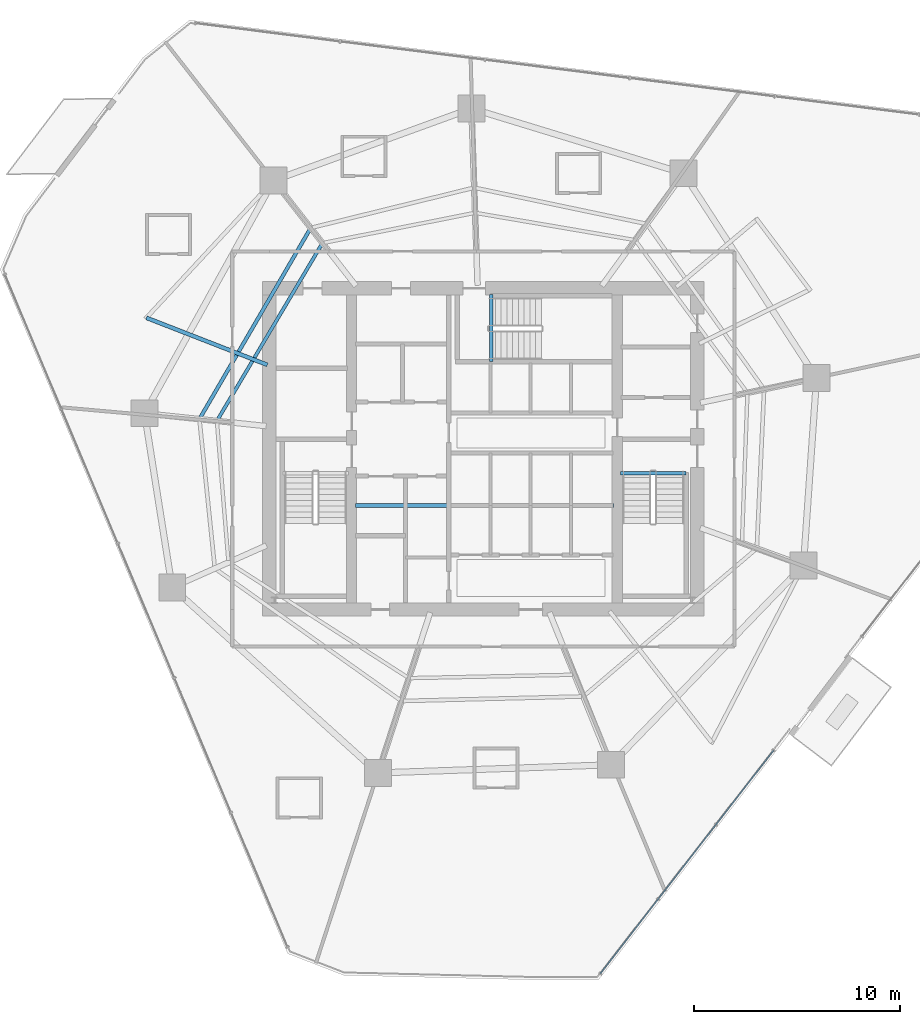
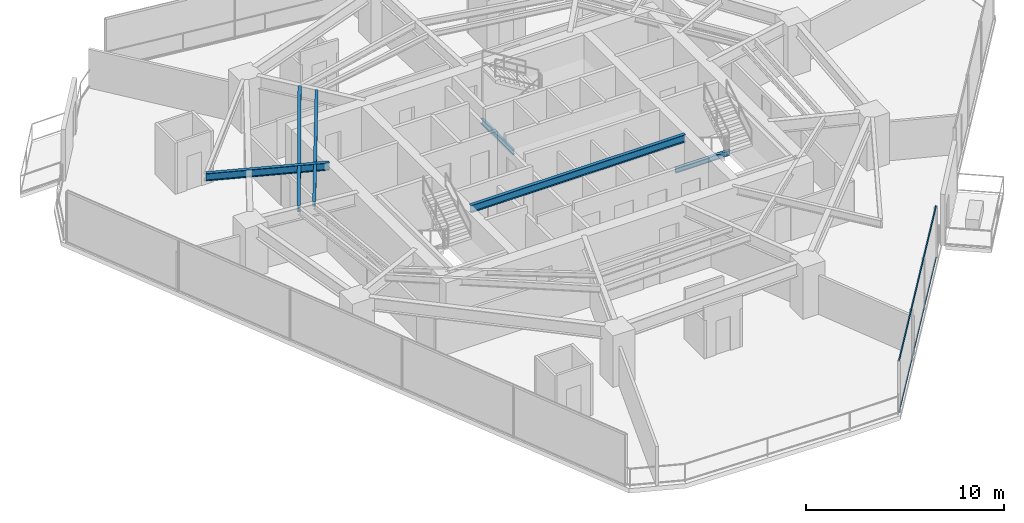
# One storey, part 10 of 30: 6 beams, 2 members, 1 element without a shape of its own.
"""IFC4 building model written with IfcOpenShell, lengths in metres."""

from ifc_helpers import new_model, si_unit, direction, frame, origin, origin_2d, place, context, subcontext, project, spatial, hollow_rectangle, i_section, extrude, material, layer, layer_set, material_profile, profile_set, type_object, element, aggregate, save


model = new_model("IFC4")

# Units and contexts
model_context = context("Model", 3, precision=1e-05, world=origin(), true_north=direction((0.0, 1.0)))
body_context = subcontext(model_context, "Body", "Model", "MODEL_VIEW")
ifc_project = project(units=[si_unit("LENGTHUNIT", "METRE"), si_unit("AREAUNIT", "SQUARE_METRE"), si_unit("VOLUMEUNIT", "CUBIC_METRE"), si_unit("PLANEANGLEUNIT", "RADIAN"), si_unit("MASSUNIT", "GRAM", prefix="KILO")], contexts=[model_context])

# Site, building, storey
site_placement = place(None, origin())
site = spatial("IfcSite", under=ifc_project, at=site_placement, CompositionType="ELEMENT")
building_placement = place(site_placement, origin())
building = spatial("IfcBuilding", under=site, at=building_placement, Name="Qarnah Convention Tower", CompositionType="ELEMENT")
storey_placement = place(building_placement, frame((0.0, 0.0, 40.800048828125)))
storey = spatial("IfcBuildingStorey", under=building, at=storey_placement, Name="L09", CompositionType="ELEMENT", Elevation=40.800048828125)

# Beams
ifc_material_1 = material(Name="Structural steel S355JR", Category="steel")
ifc_material_profile_1 = material_profile(ifc_material_1, i_section(OverallWidth=0.19189453125, OverallDepth=0.464111328125, WebThickness=0.010986328125, FlangeThickness=0.01806640625, at=origin_2d()), Name="W460X89")
ifc_profile_set_1 = profile_set([ifc_material_profile_1], Name="Structural steel S355JR")
beam_type_1 = type_object("IfcBeamType", Name="BM-CANT-W460A", PredefinedType="BEAM", material=ifc_profile_set_1)
beam_1_placement = place(storey_placement, frame((30.97998046875, 23.64990234375, 2.93798828125), z_axis=(1.0, 0.0, 0.0), x_axis=(0.0, 1.0, 0.0)))
element("IfcBeam", 1, at=beam_1_placement, inside=storey, type_object=beam_type_1, Name="L09 beam BM-L09-KC1", PredefinedType="BEAM", context=body_context, shape_type="SweptSolid", body=[
    extrude(i_section(OverallWidth=0.19189453125, OverallDepth=0.464111328125, WebThickness=0.010986328125, FlangeThickness=0.01806640625, at=origin_2d()), origin(), (0.0, 0.0, 1.0), 12.5400390625),
])
beam_2_placement = place(storey_placement, frame((26.70703125, 30.48388671875, 2.93798828125), z_axis=(-0.931897088326, 0.36272278226, 0.0), x_axis=(-0.36272278226, -0.931897088326, 0.0)))
element("IfcBeam", 2, at=beam_2_placement, inside=storey, type_object=beam_type_1, Name="L09 beam BM-L09-CNT-02-2", PredefinedType="BEAM", context=body_context, shape_type="SweptSolid", body=[
    extrude(i_section(OverallWidth=0.19189453125, OverallDepth=0.464111328125, WebThickness=0.010986328125, FlangeThickness=0.01806640625, at=origin_2d()), origin(), (0.0, 0.0, 1.0), 6.305419921875),
])
ifc_material_profile_2 = material_profile(ifc_material_1, i_section(OverallWidth=0.166015625, OverallDepth=0.31201171875, WebThickness=0.007080078125, FlangeThickness=0.010986328125, at=origin_2d()), Name="W310X45")
ifc_profile_set_2 = profile_set([ifc_material_profile_2], Name="Structural steel S355JR")
beam_type_2 = type_object("IfcBeamType", Name="BM-JST-W310", PredefinedType="JOIST", material=ifc_profile_set_2)
beam_3_placement = place(storey_placement, frame((43.860107421875, 25.217041015625, -0.156005859375), z_axis=(1.0, 0.0, 0.0), x_axis=(0.0, 1.0, 0.0)))
element("IfcBeam", 3, at=beam_3_placement, inside=storey, type_object=beam_type_2, Name="L09 stair landing trimmer beam BM-L09-ST2-TRM", PredefinedType="BEAM", context=body_context, shape_type="SweptSolid", body=[
    extrude(i_section(OverallWidth=0.166015625, OverallDepth=0.31201171875, WebThickness=0.007080078125, FlangeThickness=0.010986328125, at=origin_2d()), origin(), (0.0, 0.0, 1.0), 3.179931640625),
])
beam_4_placement = place(storey_placement, frame((37.5830078125, 30.659912109375, -0.156005859375), z_axis=(0.0, 1.0, 0.0), x_axis=(-1.0, 0.0, 0.0)))
element("IfcBeam", 4, at=beam_4_placement, inside=storey, type_object=beam_type_2, Name="L09 stair landing trimmer beam BM-L09-ST3-TRM", PredefinedType="BEAM", context=body_context, shape_type="SweptSolid", body=[
    extrude(i_section(OverallWidth=0.166015625, OverallDepth=0.31201171875, WebThickness=0.007080078125, FlangeThickness=0.010986328125, at=origin_2d()), origin(), (0.0, 0.0, 1.0), 3.239990234375),
])
beam_5_placement = place(storey_placement, frame((29.340087890625, 36.324951171875, 3.013916015625), z_axis=(-0.510529038741, -0.859860512294, 0.0), x_axis=(0.859860512294, -0.510529038741, 0.0)))
element("IfcBeam", 5, at=beam_5_placement, inside=storey, type_object=beam_type_2, Name="L09 joist BM-L09-IJST-04", PredefinedType="JOIST", context=body_context, shape_type="SweptSolid", body=[
    extrude(i_section(OverallWidth=0.166015625, OverallDepth=0.31201171875, WebThickness=0.007080078125, FlangeThickness=0.010986328125, at=origin_2d()), origin(), (0.0, 0.0, 1.0), 9.870361328125),
])
ifc_material_profile_3 = material_profile(ifc_material_1, i_section(OverallWidth=0.177978515625, OverallDepth=0.407958984375, WebThickness=0.008056640625, FlangeThickness=0.012939453125, at=origin_2d()), Name="W410X60")
ifc_profile_set_3 = profile_set([ifc_material_profile_3], Name="Structural steel S355JR")
beam_type_3 = type_object("IfcBeamType", Name="BM-JST-W410", PredefinedType="JOIST", material=ifc_profile_set_3)
beam_6_placement = place(storey_placement, frame((28.76806640625, 37.05810546875, 2.966064453125), z_axis=(-0.503182646142, -0.864180088073, 0.0), x_axis=(0.864180088073, -0.503182646142, 0.0)))
element("IfcBeam", 6, at=beam_6_placement, inside=storey, type_object=beam_type_3, Name="L09 joist BM-L09-SJST-04", PredefinedType="JOIST", context=body_context, shape_type="SweptSolid", body=[
    extrude(i_section(OverallWidth=0.177978515625, OverallDepth=0.407958984375, WebThickness=0.008056640625, FlangeThickness=0.012939453125, at=origin_2d()), origin(), (0.0, 0.0, 1.0), 10.565185546875),
])

# Curtain wall, members
ifc_material_2 = material(Name="Tempered Low-E dark glass", Category="glass")
ifc_layer = layer(ifc_material_2, 0.16796875)
ifc_layer_set = layer_set([ifc_layer], Name="Tempered Low-E dark glass")
curtain_wall_type = type_object("IfcCurtainWallType", Name="CWS-01", PredefinedType="NOTDEFINED", material=ifc_layer_set)
curtain_wall_placement = place(storey_placement, origin())
curtain_wall = element("IfcCurtainWall", 7, at=curtain_wall_placement, inside=storey, type_object=curtain_wall_type, Name="L09 unitised curtain wall CW-L09-F4", PredefinedType="NOTDEFINED")
ifc_material_3 = material(Name="Black anodised aluminium", Category="aluminium")
ifc_material_profile_4 = material_profile(ifc_material_3, hollow_rectangle(XDim=0.06005859375, YDim=0.1298828125, WallThickness=0.00390625, at=origin_2d()), Name="TRN-60X130")
ifc_profile_set_4 = profile_set([ifc_material_profile_4], Name="Black anodised aluminium")
member_type = type_object("IfcMemberType", Name="TRN-T1", PredefinedType="USERDEFINED", material=ifc_profile_set_4)
member_1_placement = place(storey_placement, frame((51.302978515625, 11.760009765625, 0.0), z_axis=(-0.613066366222, -0.790031411152, 0.0), x_axis=(0.790031411152, -0.613066366222, 0.0)))
member_1 = element("IfcMember", 8, at=member_1_placement, type_object=member_type, Name="CW-L09-F4 transom 1", ObjectType="TRANSOM", PredefinedType="USERDEFINED", context=body_context, shape_type="SweptSolid", body=[
    extrude(hollow_rectangle(XDim=0.06005859375, YDim=0.1298828125, WallThickness=0.00390625, at=origin_2d()), origin(), (0.0, 0.0, 1.0), 13.732421875),
])
member_2_placement = place(storey_placement, frame((51.302978515625, 11.760009765625, 3.169921875), z_axis=(-0.613066366222, -0.790031411152, 0.0), x_axis=(0.790031411152, -0.613066366222, 0.0)))
member_2 = element("IfcMember", 9, at=member_2_placement, type_object=member_type, Name="CW-L09-F4 transom 2", ObjectType="TRANSOM", PredefinedType="USERDEFINED", context=body_context, shape_type="SweptSolid", body=[
    extrude(hollow_rectangle(XDim=0.06005859375, YDim=0.1298828125, WallThickness=0.00390625, at=origin_2d()), origin(), (0.0, 0.0, 1.0), 13.732421875),
])
aggregate(curtain_wall, [member_1, member_2])

save(model, "model.ifc")
